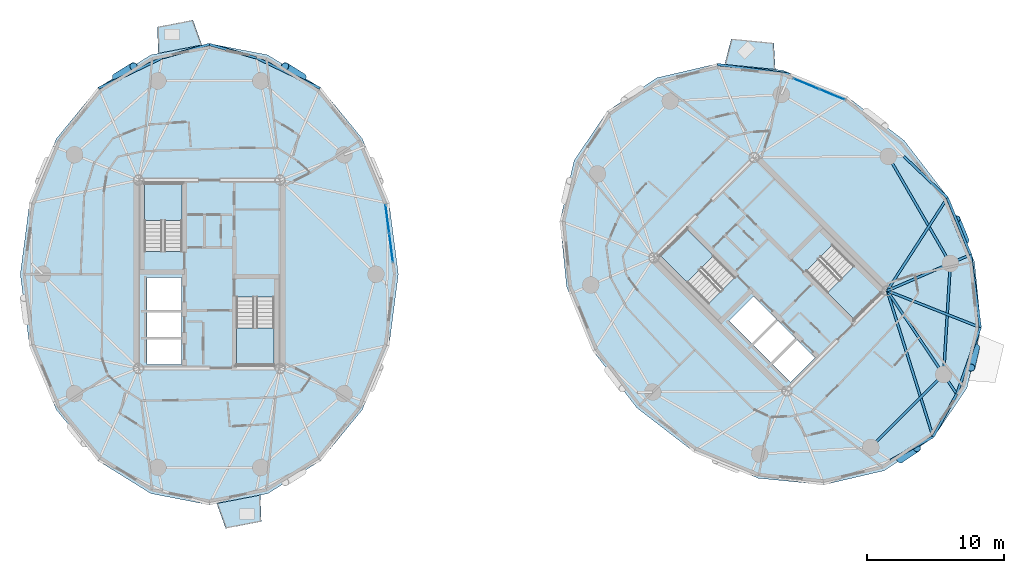
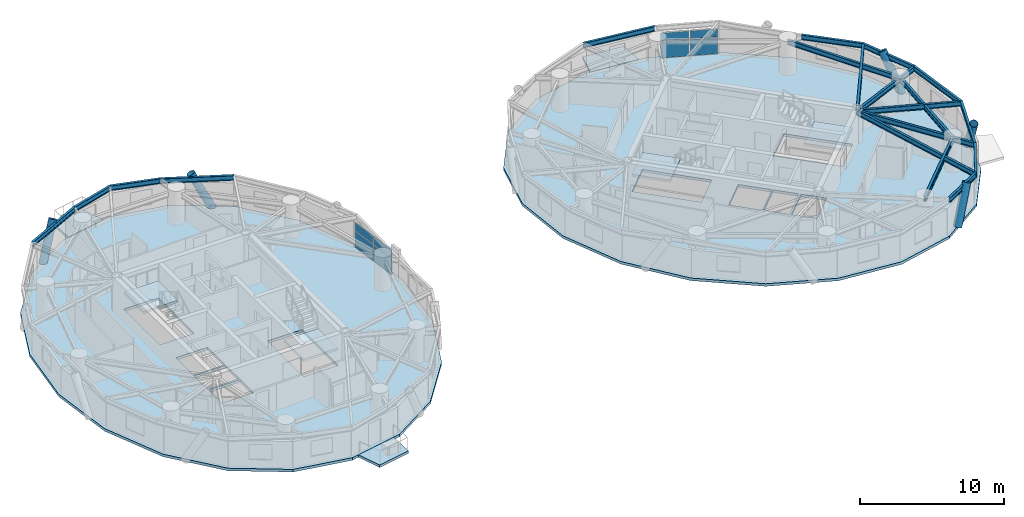
# One storey, part 6 of 16: 19 beams, 9 slabs, 8 plates, 5 members, 6 elements without a shape of their own.
"""IFC4 building model written with IfcOpenShell, lengths in metres."""

from ifc_helpers import new_model, si_unit, direction, frame, origin, origin_2d, place, context, subcontext, project, spatial, polyline, rectangle, hollow_circle, i_section, outline, extrude, source, transform, mapped, material, layer, layer_set, material_profile, profile_set, type_object, element, aggregate, save


model = new_model("IFC4")

# Units and contexts
model_context = context("Model", 3, precision=1e-05, world=origin(), true_north=direction((0.0, 1.0)))
body_context = subcontext(model_context, "Body", "Model", "MODEL_VIEW")
ifc_project = project(units=[si_unit("LENGTHUNIT", "METRE"), si_unit("AREAUNIT", "SQUARE_METRE"), si_unit("VOLUMEUNIT", "CUBIC_METRE"), si_unit("PLANEANGLEUNIT", "RADIAN"), si_unit("MASSUNIT", "GRAM", prefix="KILO")], contexts=[model_context])

# Site, building, storey
site_placement = place(None, origin())
site = spatial("IfcSite", under=ifc_project, at=site_placement, CompositionType="ELEMENT")
building_placement = place(site_placement, origin())
building = spatial("IfcBuilding", under=site, at=building_placement, Name="Cununo Teusaquillo Station Towers", CompositionType="ELEMENT")
storey_placement = place(building_placement, frame((0.0, 0.0, 180.699951171875)))
storey = spatial("IfcBuildingStorey", under=building, at=storey_placement, Name="L57", CompositionType="ELEMENT", Elevation=180.699951171875)

# Beams
ifc_material_1 = material(Name="Steel ASTM A572 Grade 50", Category="steel")
ifc_material_profile_1 = material_profile(ifc_material_1, i_section(OverallWidth=0.180908203125, OverallDepth=0.4169921875, WebThickness=0.010986328125, FlangeThickness=0.018310546875, FilletRadius=0.012939453125, at=origin_2d()), Name="W16X57")
ifc_profile_set_1 = profile_set([ifc_material_profile_1], Name="Steel ASTM A572 Grade 50")
beam_type_1 = type_object("IfcBeamType", Name="BM-JOIST-1", PredefinedType="JOIST", material=ifc_profile_set_1)
beam_1_placement = place(storey_placement, frame((66.024169921875, 23.29443359375, 2.4814453125), z_axis=(0.29947962656, -0.954102695351, 0.0), x_axis=(0.954102695351, 0.29947962656, 0.0)))
element("IfcBeam", 1, at=beam_1_placement, inside=storey, type_object=beam_type_1, Name="L57 Tower B Radial Spandrel Joist V15", PredefinedType="JOIST", context=body_context, shape_type="SweptSolid", body=[
    extrude(i_section(OverallWidth=0.180908203125, OverallDepth=0.4169921875, WebThickness=0.010986328125, FlangeThickness=0.018310546875, FilletRadius=0.012939453125, at=origin_2d()), origin(), (0.0, 0.0, 1.0), 11.179931640625),
])
beam_2_placement = place(storey_placement, frame((66.024169921875, 23.29443359375, 2.4814453125), z_axis=(0.93009004426, -0.367331607091, 0.0), x_axis=(0.367331607091, 0.93009004426, 0.0)))
element("IfcBeam", 2, at=beam_2_placement, inside=storey, type_object=beam_type_1, Name="L57 Tower B Radial Spandrel Joist V17", PredefinedType="JOIST", context=body_context, shape_type="SweptSolid", body=[
    extrude(i_section(OverallWidth=0.180908203125, OverallDepth=0.4169921875, WebThickness=0.010986328125, FlangeThickness=0.018310546875, FilletRadius=0.012939453125, at=origin_2d()), origin(), (0.0, 0.0, 1.0), 7.306884765625),
])
beam_3_placement = place(storey_placement, frame((66.024169921875, 23.29443359375, 2.4814453125), z_axis=(0.543440395394, 0.839447756954, 0.0), x_axis=(-0.839447756954, 0.543440395394, 0.0)))
element("IfcBeam", 3, at=beam_3_placement, inside=storey, type_object=beam_type_1, Name="L57 Tower B Radial Spandrel Joist V19", PredefinedType="JOIST", context=body_context, shape_type="SweptSolid", body=[
    extrude(i_section(OverallWidth=0.180908203125, OverallDepth=0.4169921875, WebThickness=0.010986328125, FlangeThickness=0.018310546875, FilletRadius=0.012939453125, at=origin_2d()), origin(), (0.0, 0.0, 1.0), 8.08203125),
])
ifc_material_2 = material(Name="Steel ASTM A572 Grade 50", Category="steel")
ifc_material_profile_2 = material_profile(ifc_material_2, i_section(OverallWidth=0.180908203125, OverallDepth=0.4169921875, WebThickness=0.010986328125, FlangeThickness=0.018310546875, FilletRadius=0.012939453125, at=origin_2d()), Name="W16X57")
ifc_profile_set_2 = profile_set([ifc_material_profile_2], Name="Steel ASTM A572 Grade 50")
beam_type_2 = type_object("IfcBeamType", Name="BM-RAD-G2", PredefinedType="BEAM", material=ifc_profile_set_2)
beam_4_placement = place(storey_placement, frame((66.024169921875, 23.29443359375, 2.4814453125), z_axis=(0.558570989907, -0.829456719326, 0.0), x_axis=(0.829456719326, 0.558570989907, 0.0)))
element("IfcBeam", 4, at=beam_4_placement, inside=storey, type_object=beam_type_2, Name="L57 Tower B Continuous Overhanging Radial Girder 09", PredefinedType="BEAM", context=body_context, shape_type="SweptSolid", body=[
    extrude(i_section(OverallWidth=0.180908203125, OverallDepth=0.4169921875, WebThickness=0.010986328125, FlangeThickness=0.018310546875, FilletRadius=0.012939453125, at=origin_2d()), origin(), (0.0, 0.0, 1.0), 9.097412109375),
])
beam_5_placement = place(storey_placement, frame((66.024169921875, 23.29443359375, 2.4814453125), z_axis=(0.917664823247, 0.397355347486, 0.0), x_axis=(-0.397355347486, 0.917664823247, 0.0)))
element("IfcBeam", 5, at=beam_5_placement, inside=storey, type_object=beam_type_2, Name="L57 Tower B Continuous Overhanging Radial Girder 10", PredefinedType="BEAM", context=body_context, shape_type="SweptSolid", body=[
    extrude(i_section(OverallWidth=0.180908203125, OverallDepth=0.4169921875, WebThickness=0.010986328125, FlangeThickness=0.018310546875, FilletRadius=0.012939453125, at=origin_2d()), origin(), (0.0, 0.0, 1.0), 6.632080078125),
])
ifc_material_3 = material(Name="Steel ASTM A572 Grade 50", Category="steel")
ifc_material_profile_3 = material_profile(ifc_material_3, i_section(OverallWidth=0.180908203125, OverallDepth=0.4169921875, WebThickness=0.010986328125, FlangeThickness=0.018310546875, FilletRadius=0.012939453125, at=origin_2d()), Name="W16X57")
ifc_profile_set_3 = profile_set([ifc_material_profile_3], Name="Steel ASTM A572 Grade 50")
beam_type_3 = type_object("IfcBeamType", Name="BM-RING-Z3", PredefinedType="SPANDREL", material=ifc_profile_set_3)
beam_6_placement = place(storey_placement, frame((24.58251953125, 38.08349609375, 2.4814453125), z_axis=(-0.902031610991, 0.431669981319, 0.0), x_axis=(-0.431669981319, -0.902031610991, 0.0)))
element("IfcBeam", 6, at=beam_6_placement, inside=storey, type_object=beam_type_3, Name="L57 Tower A Spandrel Ring Beam 04", PredefinedType="SPANDREL", context=body_context, shape_type="SweptSolid", body=[
    extrude(i_section(OverallWidth=0.180908203125, OverallDepth=0.4169921875, WebThickness=0.010986328125, FlangeThickness=0.018310546875, FilletRadius=0.012939453125, at=origin_2d()), origin(), (0.0, 0.0, 1.0), 5.1552734375),
])
for number, where, z_axis, x_axis, name in (
    (7, (19.932373046875, 40.308837890625, 2.4814453125), (-0.961485227168, 0.274856613414, 0.0), (-0.274856613414, -0.961485227168, 0.0), "L57 Tower A Spandrel Ring Beam 05"),
    (8, (16.5, 41.2900390625, 2.4814453125), (-0.961485227168, -0.274856613414, 0.0), (0.274856613414, -0.961485227168, 0.0), "L57 Tower A Spandrel Ring Beam 06"),
):
    element("IfcBeam", number, at=place(storey_placement, frame(where, z_axis=z_axis, x_axis=x_axis)), inside=storey, type_object=beam_type_3, Name=name, PredefinedType="SPANDREL", context=body_context, shape_type="SweptSolid", body=[
        extrude(i_section(OverallWidth=0.180908203125, OverallDepth=0.4169921875, WebThickness=0.010986328125, FlangeThickness=0.018310546875, FilletRadius=0.012939453125, at=origin_2d()), origin(), (0.0, 0.0, 1.0), 3.56982421875),
    ])
beam_7_placement = place(storey_placement, frame((13.067626953125, 40.308837890625, 2.4814453125), z_axis=(-0.902031610991, -0.431669981319, 0.0), x_axis=(0.431669981319, -0.902031610991, 0.0)))
element("IfcBeam", 9, at=beam_7_placement, inside=storey, type_object=beam_type_3, Name="L57 Tower A Spandrel Ring Beam 07", PredefinedType="SPANDREL", context=body_context, shape_type="SweptSolid", body=[
    extrude(i_section(OverallWidth=0.180908203125, OverallDepth=0.4169921875, WebThickness=0.010986328125, FlangeThickness=0.018310546875, FilletRadius=0.012939453125, at=origin_2d()), origin(), (0.0, 0.0, 1.0), 5.1552734375),
])
beam_8_placement = place(storey_placement, frame((64.826904296875, 11.853759765625, 2.4814453125), z_axis=(0.707106781187, 0.707106781187, 0.0), x_axis=(-0.707106781187, 0.707106781187, 0.0)))
element("IfcBeam", 10, at=beam_8_placement, inside=storey, type_object=beam_type_3, Name="L57 Tower B Structural Column Ring Girder 08", PredefinedType="SPANDREL", context=body_context, shape_type="SweptSolid", body=[
    extrude(i_section(OverallWidth=0.180908203125, OverallDepth=0.4169921875, WebThickness=0.010986328125, FlangeThickness=0.018310546875, FilletRadius=0.012939453125, at=origin_2d()), origin(), (0.0, 0.0, 1.0), 7.522705078125),
])
beam_9_placement = place(storey_placement, frame((70.146240234375, 17.173095703125, 2.4814453125), z_axis=(0.06012979176, 0.998190567048, 0.0), x_axis=(-0.998190567048, 0.06012979176, 0.0)))
element("IfcBeam", 11, at=beam_9_placement, inside=storey, type_object=beam_type_3, Name="L57 Tower B Structural Column Ring Girder 09", PredefinedType="SPANDREL", context=body_context, shape_type="SweptSolid", body=[
    extrude(i_section(OverallWidth=0.180908203125, OverallDepth=0.4169921875, WebThickness=0.010986328125, FlangeThickness=0.018310546875, FilletRadius=0.012939453125, at=origin_2d()), origin(), (0.0, 0.0, 1.0), 8.132568359375),
])
beam_10_placement = place(storey_placement, frame((70.63525390625, 25.291015625, 2.4814453125), z_axis=(-0.501311121078, 0.865267103202, 0.0), x_axis=(-0.865267103202, -0.501311121078, 0.0)))
element("IfcBeam", 12, at=beam_10_placement, inside=storey, type_object=beam_type_3, Name="L57 Tower B Structural Column Ring Girder 10", PredefinedType="SPANDREL", context=body_context, shape_type="SweptSolid", body=[
    extrude(i_section(OverallWidth=0.180908203125, OverallDepth=0.4169921875, WebThickness=0.010986328125, FlangeThickness=0.018310546875, FilletRadius=0.012939453125, at=origin_2d()), origin(), (0.0, 0.0, 1.0), 9.032958984375),
])
beam_11_placement = place(storey_placement, frame((58.9296875, 39.110107421875, 2.4814453125), z_axis=(-0.991204443213, 0.132339532096, 0.0), x_axis=(-0.132339532096, -0.991204443213, 0.0)))
element("IfcBeam", 13, at=beam_11_placement, inside=storey, type_object=beam_type_3, Name="L57 Tower B Spandrel Ring Beam 03", PredefinedType="SPANDREL", context=body_context, shape_type="SweptSolid", body=[
    extrude(i_section(OverallWidth=0.180908203125, OverallDepth=0.4169921875, WebThickness=0.010986328125, FlangeThickness=0.018310546875, FilletRadius=0.012939453125, at=origin_2d()), origin(), (0.0, 0.0, 1.0), 5.366455078125),
])
for number, where, z_axis, x_axis, name in (
    (14, (66.25146484375, 10.894287109375, 2.4814453125), (0.874205659621, 0.485555830659, 0.0), (-0.485555830659, 0.874205659621, 0.0), "L57 Tower B Spandrel Ring Beam 15"),
    (15, (69.372314453125, 12.627685546875, 2.4814453125), (0.485555830659, 0.874205659621, 0.0), (-0.874205659621, 0.485555830659, 0.0), "L57 Tower B Spandrel Ring Beam 16"),
):
    element("IfcBeam", number, at=place(storey_placement, frame(where, z_axis=z_axis, x_axis=x_axis)), inside=storey, type_object=beam_type_3, Name=name, PredefinedType="SPANDREL", context=body_context, shape_type="SweptSolid", body=[
        extrude(i_section(OverallWidth=0.180908203125, OverallDepth=0.4169921875, WebThickness=0.010986328125, FlangeThickness=0.018310546875, FilletRadius=0.012939453125, at=origin_2d()), origin(), (0.0, 0.0, 1.0), 3.56982421875),
    ])
beam_12_placement = place(storey_placement, frame((71.105712890625, 15.74853515625, 2.4814453125), z_axis=(0.332589733158, 0.943071614141, 0.0), x_axis=(-0.943071614141, 0.332589733158, 0.0)))
element("IfcBeam", 16, at=beam_12_placement, inside=storey, type_object=beam_type_3, Name="L57 Tower B Spandrel Ring Beam 17", PredefinedType="SPANDREL", context=body_context, shape_type="SweptSolid", body=[
    extrude(i_section(OverallWidth=0.180908203125, OverallDepth=0.4169921875, WebThickness=0.010986328125, FlangeThickness=0.018310546875, FilletRadius=0.012939453125, at=origin_2d()), origin(), (0.0, 0.0, 1.0), 5.1552734375),
])
beam_13_placement = place(storey_placement, frame((72.8203125, 20.6103515625, 2.4814453125), z_axis=(-0.132339532096, 0.991204443213, 0.0), x_axis=(-0.991204443213, -0.132339532096, 0.0)))
element("IfcBeam", 17, at=beam_13_placement, inside=storey, type_object=beam_type_3, Name="L57 Tower B Spandrel Ring Beam 18", PredefinedType="SPANDREL", context=body_context, shape_type="SweptSolid", body=[
    extrude(i_section(OverallWidth=0.180908203125, OverallDepth=0.4169921875, WebThickness=0.010986328125, FlangeThickness=0.018310546875, FilletRadius=0.012939453125, at=origin_2d()), origin(), (0.0, 0.0, 1.0), 5.366455078125),
])
beam_14_placement = place(storey_placement, frame((72.110107421875, 25.9296875, 2.4814453125), z_axis=(-0.377956082264, 0.925823525235, 0.0), x_axis=(-0.925823525235, -0.377956082264, 0.0)))
element("IfcBeam", 18, at=beam_14_placement, inside=storey, type_object=beam_type_3, Name="L57 Tower B Spandrel Ring Beam 19", PredefinedType="SPANDREL", context=body_context, shape_type="SweptSolid", body=[
    extrude(i_section(OverallWidth=0.180908203125, OverallDepth=0.4169921875, WebThickness=0.010986328125, FlangeThickness=0.018310546875, FilletRadius=0.012939453125, at=origin_2d()), origin(), (0.0, 0.0, 1.0), 4.481689453125),
])
beam_15_placement = place(storey_placement, frame((70.416259765625, 30.078857421875, 2.4814453125), z_axis=(-0.723501643849, 0.690322657421, 0.0), x_axis=(-0.690322657421, -0.723501643849, 0.0)))
element("IfcBeam", 19, at=beam_15_placement, inside=storey, type_object=beam_type_3, Name="L57 Tower B Spandrel Ring Beam 20", PredefinedType="SPANDREL", context=body_context, shape_type="SweptSolid", body=[
    extrude(i_section(OverallWidth=0.180908203125, OverallDepth=0.4169921875, WebThickness=0.010986328125, FlangeThickness=0.018310546875, FilletRadius=0.012939453125, at=origin_2d()), origin(), (0.0, 0.0, 1.0), 4.400146484375),
])

# Members
ifc_material_4 = material(Name="Steel EN 10025-2 S355J2", Category="steel")
ifc_material_profile_4 = material_profile(ifc_material_4, hollow_circle(Radius=0.304931640625, WallThickness=0.02001953125, at=origin_2d()), Name="CHS 610x20")
ifc_profile_set_4 = profile_set([ifc_material_profile_4], Name="Steel EN 10025-2 S355J2")
member_type = type_object("IfcMemberType", Name="MBR-DIAG-Z3", PredefinedType="BRACE", material=ifc_profile_set_4)
for number, where, z_axis, x_axis, name in (
    (20, (23.3046875, 38.87841796875, -0.139892578125), (-0.389992377255, 0.242655299129, 0.888270427003), (-0.528291489706, -0.849063072983, 0.0), "L57 Tower A Folded-Zigzag Diagrid Tube C03"),
    (21, (9.6953125, 38.87841796875, -0.139892578125), (0.389992377255, 0.242655299129, 0.888270427003), (-0.528291489706, 0.849063072983, 0.0), "L57 Tower A Folded-Zigzag Diagrid Tube C06"),
):
    element("IfcMember", number, at=place(storey_placement, frame(where, z_axis=z_axis, x_axis=x_axis)), inside=storey, type_object=member_type, Name=name, PredefinedType="BRACE", context=body_context, shape_type="SweptSolid", body=[
        extrude(hollow_circle(Radius=0.304931640625, WallThickness=0.02001953125, at=origin_2d()), origin(), (0.0, 0.0, 1.0), 3.27587890625),
    ])
member_1_placement = place(storey_placement, frame((66.981689453125, 11.011962890625, -0.139892578125), z_axis=(0.368023716822, 0.248731715475, 0.895930286112), x_axis=(-0.559961028799, 0.828518947416, 0.0)))
element("IfcMember", 22, at=member_1_placement, inside=storey, type_object=member_type, Name="L57 Tower B Folded-Zigzag Diagrid Tube C14", PredefinedType="BRACE", context=body_context, shape_type="SweptSolid", body=[
    extrude(hollow_circle(Radius=0.304931640625, WallThickness=0.02001953125, at=origin_2d()), origin(), (0.0, 0.0, 1.0), 3.247802734375),
])
member_2_placement = place(storey_placement, frame((72.478759765625, 19.144775390625, -0.139892578125), z_axis=(-0.104259152832, -0.447367901679, 0.888252210579), x_axis=(0.973902205409, -0.226968046871, 0.0)))
element("IfcMember", 23, at=member_2_placement, inside=storey, type_object=member_type, Name="L57 Tower B Folded-Zigzag Diagrid Tube C16", PredefinedType="BRACE", context=body_context, shape_type="SweptSolid", body=[
    extrude(hollow_circle(Radius=0.304931640625, WallThickness=0.02001953125, at=origin_2d()), origin(), (0.0, 0.0, 1.0), 3.27587890625),
])
member_3_placement = place(storey_placement, frame((71.701904296875, 26.95166015625, -0.139892578125), z_axis=(-0.191014646417, 0.464587085322, 0.864680429411), x_axis=(-0.924878366582, -0.380263076079, 0.0)))
element("IfcMember", 24, at=member_3_placement, inside=storey, type_object=member_type, Name="L57 Tower B Folded-Zigzag Diagrid Tube C18", PredefinedType="BRACE", context=body_context, shape_type="SweptSolid", body=[
    extrude(hollow_circle(Radius=0.304931640625, WallThickness=0.02001953125, at=origin_2d()), origin(), (0.0, 0.0, 1.0), 3.365234375),
])

# Slabs
ifc_material_5 = material(Name="Concrete C50/60", Category="concrete")
ifc_layer_1 = layer(ifc_material_5, 0.2099609375)
ifc_layer_set_1 = layer_set([ifc_layer_1], Name="Concrete C50/60")
slab_type_1 = type_object("IfcSlabType", Name="SLB-BAL-210", PredefinedType="FLOOR", material=ifc_layer_set_1)
slab_1_placement = place(storey_placement, frame((0.0, 0.0, -0.2099609375)))
element("IfcSlab", 25, at=slab_1_placement, inside=storey, type_object=slab_type_1, Name="L57 Tower A Tree Balcony Slab 1", PredefinedType="FLOOR", context=body_context, shape_type="SweptSolid", body=[
    extrude(outline(polyline([(15.958984375, 41.25048828125), (12.771240234375, 40.634521484375), (12.702392578125, 42.57177734375), (15.30126953125, 43.073974609375), (15.958984375, 41.25048828125)])), origin(), (0.0, 0.0, 1.0), 0.2099609375),
])
slab_2_placement = place(storey_placement, frame((0.0, 0.0, -0.2099609375)))
element("IfcSlab", 26, at=slab_2_placement, inside=storey, type_object=slab_type_1, Name="L57 Tower A Tree Balcony Slab 2", PredefinedType="FLOOR", context=body_context, shape_type="SweptSolid", body=[
    extrude(outline(polyline([(17.041015625, 7.74951171875), (20.228759765625, 8.365478515625), (20.297607421875, 6.42822265625), (17.69873046875, 5.926025390625), (17.041015625, 7.74951171875)])), origin(), (0.0, 0.0, 1.0), 0.2099609375),
])
slab_3_placement = place(storey_placement, frame((0.0, 0.0, -0.2099609375)))
element("IfcSlab", 27, at=slab_3_placement, inside=storey, type_object=slab_type_1, Name="L57 Tower B Tree Balcony Slab 1", PredefinedType="FLOOR", context=body_context, shape_type="SweptSolid", body=[
    extrude(outline(polyline([(57.8505859375, 39.46337890625), (54.148681640625, 39.830078125), (54.63623046875, 41.706298828125), (57.740966796875, 41.3984375), (57.8505859375, 39.46337890625)])), origin(), (0.0, 0.0, 1.0), 0.2099609375),
])

# Stair, slab
ifc_material_6 = material(Name="Concrete C50/60", Category="concrete")
stair_type = type_object("IfcStairType", Name="ST-TWR-1300", PredefinedType="HALF_TURN_STAIR", material=ifc_material_6)
stair_1_placement = place(storey_placement, origin())
stair_1 = element("IfcStair", 28, at=stair_1_placement, inside=storey, type_object=stair_type, Name="L57 Tower A Protected Core Exit Stair 1", PredefinedType="HALF_TURN_STAIR")
ifc_material_7 = material(Name="Concrete C50/60", Category="concrete")
ifc_layer_2 = layer(ifc_material_7, 0.199951171875)
ifc_layer_set_2 = layer_set([ifc_layer_2], Name="Concrete C50/60")
slab_type_2 = type_object("IfcSlabType", Name="SLB-STAIR-LND", PredefinedType="LANDING", material=ifc_layer_set_2)
slab_4_placement = place(storey_placement, frame((0.0, 0.0, 1.255126953125)))
slab_4 = element("IfcSlab", 29, at=slab_4_placement, type_object=slab_type_2, Name="ST-T1-1 landing 1", PredefinedType="LANDING", context=body_context, shape_type="SweptSolid", body=[
    extrude(outline(polyline([(14.52001953125, 28.409912109375), (14.52001953125, 31.159912109375), (11.760009765625, 31.159912109375), (11.760009765625, 28.409912109375), (14.52001953125, 28.409912109375)])), origin(), (0.0, 0.0, 1.0), 0.199951171875),
])
aggregate(stair_1, [slab_4])

stair_2_placement = place(storey_placement, origin())
stair_2 = element("IfcStair", 30, at=stair_2_placement, inside=storey, type_object=stair_type, Name="L57 Tower A Protected Core Exit Stair 2", PredefinedType="HALF_TURN_STAIR")
slab_5_placement = place(storey_placement, frame((0.0, 0.0, 1.255126953125)))
slab_5 = element("IfcSlab", 31, at=slab_5_placement, type_object=slab_type_2, Name="ST-T1-2 landing 1", PredefinedType="LANDING", context=body_context, shape_type="SweptSolid", body=[
    extrude(outline(polyline([(18.47998046875, 20.590087890625), (18.47998046875, 17.840087890625), (21.239990234375, 17.840087890625), (21.239990234375, 20.590087890625), (18.47998046875, 20.590087890625)])), origin(), (0.0, 0.0, 1.0), 0.199951171875),
])
aggregate(stair_2, [slab_5])

stair_3_placement = place(storey_placement, origin())
stair_3 = element("IfcStair", 32, at=stair_3_placement, inside=storey, type_object=stair_type, Name="L57 Tower B Protected Core Exit Stair 1", PredefinedType="HALF_TURN_STAIR")
slab_6_placement = place(storey_placement, frame((0.0, 0.0, 1.255126953125)))
slab_6 = element("IfcSlab", 33, at=slab_6_placement, type_object=slab_type_2, Name="ST-T2-1 landing 1", PredefinedType="LANDING", context=body_context, shape_type="SweptSolid", body=[
    extrude(outline(polyline([(53.335205078125, 25.86474609375), (51.390625, 27.809326171875), (49.43896484375, 25.857666015625), (51.383544921875, 23.9130859375), (53.335205078125, 25.86474609375)])), origin(), (0.0, 0.0, 1.0), 0.199951171875),
])
aggregate(stair_3, [slab_6])

stair_4_placement = place(storey_placement, origin())
stair_4 = element("IfcStair", 34, at=stair_4_placement, inside=storey, type_object=stair_type, Name="L57 Tower B Protected Core Exit Stair 2", PredefinedType="HALF_TURN_STAIR")
slab_7_placement = place(storey_placement, frame((0.0, 0.0, 1.255126953125)))
slab_7 = element("IfcSlab", 35, at=slab_7_placement, type_object=slab_type_2, Name="ST-T2-2 landing 1", PredefinedType="LANDING", context=body_context, shape_type="SweptSolid", body=[
    extrude(outline(polyline([(61.664794921875, 23.13525390625), (63.609375, 21.190673828125), (65.56103515625, 23.142333984375), (63.616455078125, 25.0869140625), (61.664794921875, 23.13525390625)])), origin(), (0.0, 0.0, 1.0), 0.199951171875),
])
aggregate(stair_4, [slab_7])

# Slabs
ifc_material_8 = material(Name="Concrete C40/50", Category="concrete")
ifc_layer_3 = layer(ifc_material_8, 0.219970703125)
ifc_layer_set_3 = layer_set([ifc_layer_3], Name="Concrete C40/50")
slab_type_3 = type_object("IfcSlabType", Name="SLB-Z3-220", PredefinedType="FLOOR", material=ifc_layer_set_3)
slab_8_placement = place(storey_placement, frame((0.0, 0.0, -0.219970703125)))
element("IfcSlab", 36, at=slab_8_placement, inside=storey, type_object=slab_type_3, Name="L57 Tower A Floor Slab", PredefinedType="FLOOR", context=body_context, shape_type="SweptSolid", body=[
    extrude(outline(polyline([(30.31103515625, 24.5), (29.635009765625, 29.706787109375), (27.67333984375, 34.404296875), (24.617919921875, 38.1318359375), (20.767822265625, 40.525390625), (16.5, 41.35009765625), (12.232177734375, 40.525390625), (8.382080078125, 38.1318359375), (5.32666015625, 34.404296875), (3.364990234375, 29.706787109375), (2.68896484375, 24.5), (3.364990234375, 19.293212890625), (5.32666015625, 14.595703125), (8.382080078125, 10.8681640625), (12.232177734375, 8.474609375), (16.5, 7.64990234375), (20.767822265625, 8.474609375), (24.617919921875, 10.8681640625), (27.67333984375, 14.595703125), (29.635009765625, 19.293212890625), (30.31103515625, 24.5)]), holes=[polyline([(14.52001953125, 26.176025390625), (14.52001953125, 31.159912109375), (11.760009765625, 31.159912109375), (11.760009765625, 26.176025390625), (14.52001953125, 26.176025390625)]), polyline([(18.47998046875, 22.823974609375), (18.47998046875, 17.840087890625), (21.239990234375, 17.840087890625), (21.239990234375, 22.823974609375), (18.47998046875, 22.823974609375)]), polyline([(11.949951171875, 21.85009765625), (14.47998046875, 21.85009765625), (14.47998046875, 24.25), (11.949951171875, 24.25), (11.949951171875, 21.85009765625)]), polyline([(11.949951171875, 17.89990234375), (14.47998046875, 17.89990234375), (14.47998046875, 19.75), (11.949951171875, 19.75), (11.949951171875, 17.89990234375)]), polyline([(11.949951171875, 19.89990234375), (14.47998046875, 19.89990234375), (14.47998046875, 21.75), (11.949951171875, 21.75), (11.949951171875, 19.89990234375)])]), origin(), (0.0, 0.0, 1.0), 0.219970703125),
])
slab_9_placement = place(storey_placement, frame((0.0, 0.0, -0.219970703125)))
element("IfcSlab", 37, at=slab_9_placement, inside=storey, type_object=slab_type_3, Name="L57 Tower B Floor Slab", PredefinedType="FLOOR", context=body_context, shape_type="SweptSolid", body=[
    extrude(outline(polyline([(67.265869140625, 34.265869140625), (63.10595703125, 37.4697265625), (58.3974609375, 39.404052734375), (53.60107421875, 39.87939453125), (49.186279296875, 38.849365234375), (45.585205078125, 36.414794921875), (43.150634765625, 32.813720703125), (42.12060546875, 28.39892578125), (42.595947265625, 23.6025390625), (44.5302734375, 18.89404296875), (47.734130859375, 14.734130859375), (51.89404296875, 11.5302734375), (56.6025390625, 9.595947265625), (61.39892578125, 9.12060546875), (65.813720703125, 10.150634765625), (69.414794921875, 12.585205078125), (71.849365234375, 16.186279296875), (72.87939453125, 20.60107421875), (72.404052734375, 25.3974609375), (70.4697265625, 30.10595703125), (67.265869140625, 34.265869140625)]), holes=[polyline([(54.914794921875, 24.28515625), (51.390625, 27.809326171875), (49.43896484375, 25.857666015625), (52.963134765625, 22.33349609375), (54.914794921875, 24.28515625)]), polyline([(60.085205078125, 24.71484375), (63.609375, 21.190673828125), (65.56103515625, 23.142333984375), (62.036865234375, 26.66650390625), (60.085205078125, 24.71484375)]), polyline([(56.156494140625, 19.40869140625), (57.945556640625, 21.19775390625), (56.248291015625, 22.89501953125), (54.45947265625, 21.10595703125), (56.156494140625, 19.40869140625)]), polyline([(58.94970703125, 16.61572265625), (60.738525390625, 18.40478515625), (59.430419921875, 19.712890625), (57.641357421875, 17.923828125), (58.94970703125, 16.61572265625)]), polyline([(57.535400390625, 18.030029296875), (59.32421875, 19.819091796875), (58.01611328125, 21.127197265625), (56.227294921875, 19.338134765625), (57.535400390625, 18.030029296875)])]), origin(), (0.0, 0.0, 1.0), 0.219970703125),
])

# Curtain wall, plates
ifc_material_9 = material(Name="Operable acoustic tinted low-E double glazing", Category="glass")
ifc_layer_4 = layer(ifc_material_9, 0.179931640625)
ifc_layer_set_4 = layer_set([ifc_layer_4], Name="Operable acoustic tinted low-E double glazing")
curtain_wall_type = type_object("IfcCurtainWallType", Name="CW-SYS-06", PredefinedType="USERDEFINED", material=ifc_layer_set_4)
curtain_wall_1_placement = place(storey_placement, origin())
curtain_wall_1 = element("IfcCurtainWall", 38, at=curtain_wall_1_placement, inside=storey, type_object=curtain_wall_type, Name="L57 Tower A Facade Curtain Wall C00", ObjectType="OPERABLE GLAZING", PredefinedType="USERDEFINED")
ifc_material_10 = material(Name="Operable acoustic tinted low-E double glazing", Category="glass")
ifc_layer_5 = layer(ifc_material_10, 0.031982421875)
ifc_layer_set_5 = layer_set([ifc_layer_5], Name="Operable acoustic tinted low-E double glazing")
plate_type = type_object("IfcPlateType", Name="CWP-OPER-32", PredefinedType="CURTAIN_PANEL", material=ifc_layer_set_5)
shared_shape_1 = source(origin(), body_context, "Body", "SweptSolid", [
    extrude(rectangle(XDim=2.05908203125, YDim=0.031982421875, at=origin_2d()), origin(), (0.0, 0.0, 1.0), 1.361572265625),
])
plate_1_placement = place(storey_placement, frame((29.509033203125, 28.534912109375, 0.06494140625), z_axis=(0.0, 0.0, 1.0), x_axis=(0.128285462927, -0.991737283761, 0.0)))
plate_1 = element("IfcPlate", 39, at=plate_1_placement, type_object=plate_type, Name="CW-06 panel 1.1", PredefinedType="CURTAIN_PANEL", context=body_context, shape_type="MappedRepresentation", body=[
    mapped(shared_shape_1, transform((0.0, 0.0, 0.0), x_axis=(1.0, 0.0, 0.0), y_axis=(0.0, 1.0, 0.0), z_axis=(0.0, 0.0, 1.0), scale=1.0)),
])
plate_2_placement = place(storey_placement, frame((29.781494140625, 26.428466796875, 0.06494140625), z_axis=(0.0, 0.0, 1.0), x_axis=(0.128285462927, -0.991737283761, 0.0)))
plate_2 = element("IfcPlate", 40, at=plate_2_placement, type_object=plate_type, Name="CW-06 panel 2.1", PredefinedType="CURTAIN_PANEL", context=body_context, shape_type="MappedRepresentation", body=[
    mapped(shared_shape_1, transform((0.0, 0.0, 0.0), x_axis=(1.0, 0.0, 0.0), y_axis=(0.0, 1.0, 0.0), z_axis=(0.0, 0.0, 1.0), scale=1.0)),
])
shared_shape_2 = source(origin(), body_context, "Body", "SweptSolid", [
    extrude(rectangle(XDim=2.05908203125, YDim=0.031982421875, at=origin_2d()), origin(), (0.0, 0.0, 1.0), 0.6884765625),
])
plate_3_placement = place(storey_placement, frame((29.509033203125, 28.534912109375, 1.491455078125), z_axis=(0.0, 0.0, 1.0), x_axis=(0.128285462927, -0.991737283761, 0.0)))
plate_3 = element("IfcPlate", 41, at=plate_3_placement, type_object=plate_type, Name="CW-06 panel 1.2", PredefinedType="CURTAIN_PANEL", context=body_context, shape_type="MappedRepresentation", body=[
    mapped(shared_shape_2, transform((0.0, 0.0, 0.0), x_axis=(1.0, 0.0, 0.0), y_axis=(0.0, 1.0, 0.0), z_axis=(0.0, 0.0, 1.0), scale=1.0)),
])
plate_4_placement = place(storey_placement, frame((29.781494140625, 26.428466796875, 1.491455078125), z_axis=(0.0, 0.0, 1.0), x_axis=(0.128285462927, -0.991737283761, 0.0)))
plate_4 = element("IfcPlate", 42, at=plate_4_placement, type_object=plate_type, Name="CW-06 panel 2.2", PredefinedType="CURTAIN_PANEL", context=body_context, shape_type="MappedRepresentation", body=[
    mapped(shared_shape_2, transform((0.0, 0.0, 0.0), x_axis=(1.0, 0.0, 0.0), y_axis=(0.0, 1.0, 0.0), z_axis=(0.0, 0.0, 1.0), scale=1.0)),
])
aggregate(curtain_wall_1, [plate_1, plate_3, plate_2, plate_4])

curtain_wall_2_placement = place(storey_placement, origin())
curtain_wall_2 = element("IfcCurtainWall", 43, at=curtain_wall_2_placement, inside=storey, type_object=curtain_wall_type, Name="L57 Tower B Facade Curtain Wall C01", ObjectType="OPERABLE GLAZING", PredefinedType="USERDEFINED")
shared_shape_3 = source(origin(), body_context, "Body", "SweptSolid", [
    extrude(rectangle(XDim=1.97900390625, YDim=0.031982421875, at=origin_2d()), origin(), (0.0, 0.0, 1.0), 1.361572265625),
])
plate_5_placement = place(storey_placement, frame((60.1142578125, 38.4013671875, 0.06494140625), z_axis=(0.0, 0.0, 1.0), x_axis=(0.924480504803, -0.381229322376, 0.0)))
plate_5 = element("IfcPlate", 44, at=plate_5_placement, type_object=plate_type, Name="CW-06 panel 1.1", PredefinedType="CURTAIN_PANEL", context=body_context, shape_type="MappedRepresentation", body=[
    mapped(shared_shape_3, transform((0.0, 0.0, 0.0), x_axis=(1.0, 0.0, 0.0), y_axis=(0.0, 1.0, 0.0), z_axis=(0.0, 0.0, 1.0), scale=1.0)),
])
plate_6_placement = place(storey_placement, frame((62.00390625, 37.622314453125, 0.06494140625), z_axis=(0.0, 0.0, 1.0), x_axis=(0.924480504803, -0.381229322376, 0.0)))
plate_6 = element("IfcPlate", 45, at=plate_6_placement, type_object=plate_type, Name="CW-06 panel 2.1", PredefinedType="CURTAIN_PANEL", context=body_context, shape_type="MappedRepresentation", body=[
    mapped(shared_shape_3, transform((0.0, 0.0, 0.0), x_axis=(1.0, 0.0, 0.0), y_axis=(0.0, 1.0, 0.0), z_axis=(0.0, 0.0, 1.0), scale=1.0)),
])
shared_shape_4 = source(origin(), body_context, "Body", "SweptSolid", [
    extrude(rectangle(XDim=1.97900390625, YDim=0.031982421875, at=origin_2d()), origin(), (0.0, 0.0, 1.0), 0.6884765625),
])
plate_7_placement = place(storey_placement, frame((60.1142578125, 38.4013671875, 1.491455078125), z_axis=(0.0, 0.0, 1.0), x_axis=(0.924480504803, -0.381229322376, 0.0)))
plate_7 = element("IfcPlate", 46, at=plate_7_placement, type_object=plate_type, Name="CW-06 panel 1.2", PredefinedType="CURTAIN_PANEL", context=body_context, shape_type="MappedRepresentation", body=[
    mapped(shared_shape_4, transform((0.0, 0.0, 0.0), x_axis=(1.0, 0.0, 0.0), y_axis=(0.0, 1.0, 0.0), z_axis=(0.0, 0.0, 1.0), scale=1.0)),
])
plate_8_placement = place(storey_placement, frame((62.00390625, 37.622314453125, 1.491455078125), z_axis=(0.0, 0.0, 1.0), x_axis=(0.924480504803, -0.381229322376, 0.0)))
plate_8 = element("IfcPlate", 47, at=plate_8_placement, type_object=plate_type, Name="CW-06 panel 2.2", PredefinedType="CURTAIN_PANEL", context=body_context, shape_type="MappedRepresentation", body=[
    mapped(shared_shape_4, transform((0.0, 0.0, 0.0), x_axis=(1.0, 0.0, 0.0), y_axis=(0.0, 1.0, 0.0), z_axis=(0.0, 0.0, 1.0), scale=1.0)),
])
aggregate(curtain_wall_2, [plate_5, plate_7, plate_6, plate_8])

save(model, "model.ifc")
